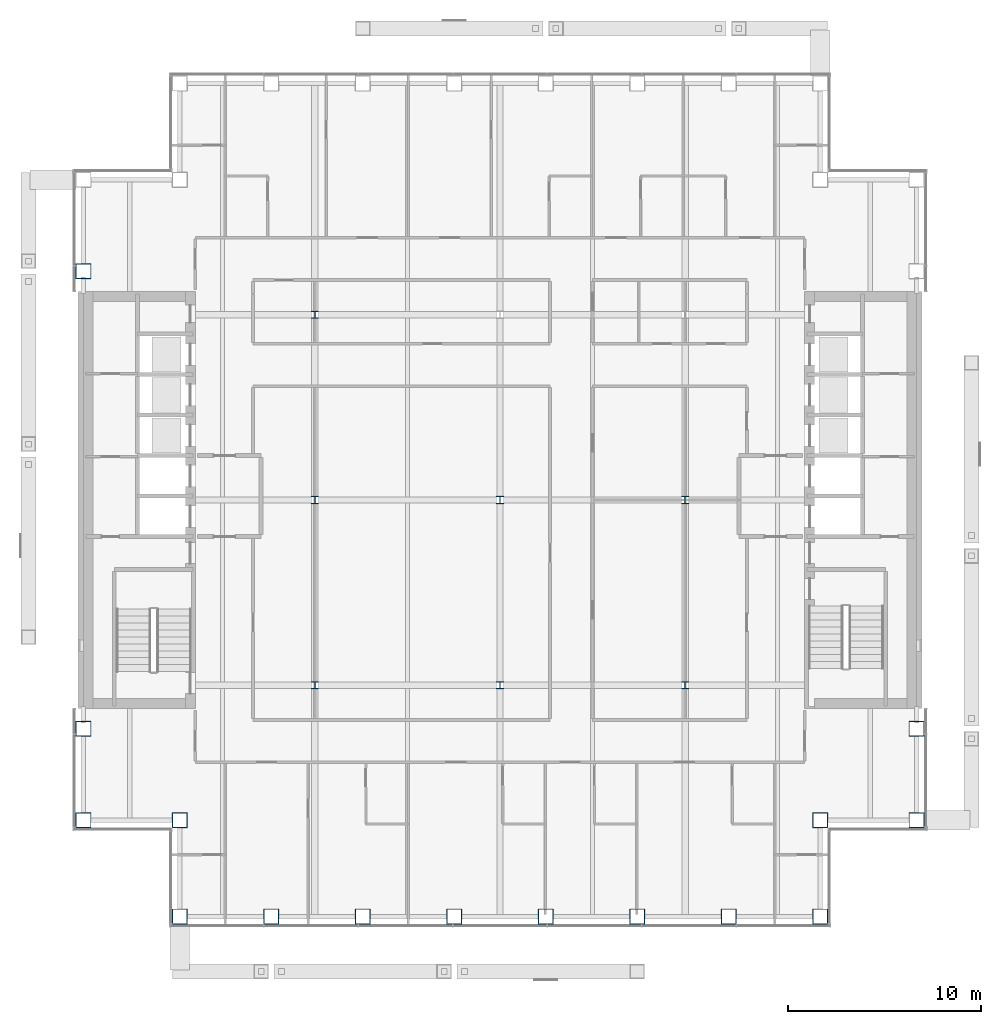
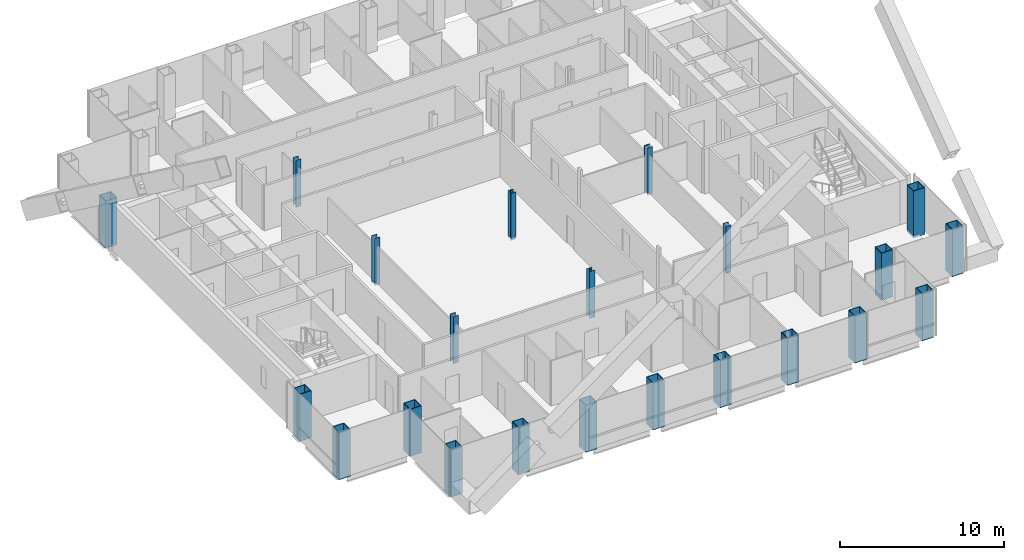
# One storey, part 1 of 18: 22 columns.
"""IFC4 building model written with IfcOpenShell, lengths in metres."""

import ifcopenshell
import ifcopenshell.guid

model = None  # the IFC model being written
_history = None  # IfcOwnerHistory: only IFC2X3 demands one
_inside = {}  # id of a spatial element -> (the spatial element, [elements in it])
_under = {}  # id of a project, library or spatial element -> (it, [spatial elements below it])
_declared = {}  # id of a project -> (the project, [libraries it declares])
_typed = {}  # id of a type object -> (the type object, [elements of that type])
_made_of = {}  # id of a material, layer set ... -> (it, [elements and type objects made of it])


def new_model(schema):
    """Start an empty IFC model of exactly this schema.

    Asked for "IFC4X3", IfcOpenShell would pick the latest addendum, in which some entities
    have other attributes; the version numbers below select the first issue.
    IFC2X3 requires an IfcOwnerHistory on every rooted entity: one is made here for all.
    """
    global model, _history
    if schema == "IFC4X3":
        model = ifcopenshell.file(schema_version=(4, 3, 0, 0))
    else:
        model = ifcopenshell.file(schema=schema)
    _inside.clear()
    _under.clear()
    _declared.clear()
    _typed.clear()
    _made_of.clear()
    _history = None
    if model.schema == "IFC2X3":
        org = make("IfcOrganization", Name="unknown")
        user = make(
            "IfcPersonAndOrganization",
            ThePerson=make("IfcPerson", FamilyName="unknown"),
            TheOrganization=org,
        )
        app = make(
            "IfcApplication",
            ApplicationDeveloper=org,
            Version="unknown",
            ApplicationFullName="unknown",
            ApplicationIdentifier="unknown",
        )
        _history = make(
            "IfcOwnerHistory",
            OwningUser=user,
            OwningApplication=app,
            ChangeAction="ADDED",
            CreationDate=0,
        )
    return model


def make(cls, **values):
    """One entity of the class cls with the attributes given. An attribute that is None is left unset."""
    return model.create_entity(
        cls, **{name: value for name, value in values.items() if value is not None}
    )


def rooted(cls, **values):
    """An entity with a GlobalId (a new one), such as an element, a storey or a relation."""
    return make(cls, GlobalId=ifcopenshell.guid.new(), OwnerHistory=_history, **values)


def si_unit(unit_type, name, prefix=None):
    """IfcSIUnit, for example si_unit("LENGTHUNIT", "METRE", prefix="MILLI")."""
    return make("IfcSIUnit", UnitType=unit_type, Prefix=prefix, Name=name)


def assignment(units):
    """IfcUnitAssignment: the units of a project."""
    return None if units is None else make("IfcUnitAssignment", Units=units)


def point(xyz):
    """IfcCartesianPoint."""
    return None if xyz is None else make("IfcCartesianPoint", Coordinates=xyz)


def direction(xyz):
    """IfcDirection."""
    return None if xyz is None else make("IfcDirection", DirectionRatios=xyz)


def frame(location, z_axis=None, x_axis=None):
    """IfcAxis2Placement3D, a coordinate frame: its origin and axes. An axis left out is left unset."""
    return make(
        "IfcAxis2Placement3D",
        Location=point(location),
        Axis=direction(z_axis),
        RefDirection=direction(x_axis),
    )


def frame_2d(location, x_axis=None):
    """IfcAxis2Placement2D, a coordinate frame in the plane: its origin and x axis."""
    return make(
        "IfcAxis2Placement2D", Location=point(location), RefDirection=direction(x_axis)
    )


def origin():
    """The frame at (0, 0, 0) with its axes left unset."""
    return frame((0.0, 0.0, 0.0))


def origin_2d():
    """The frame at (0, 0) in the plane with its x axis left unset."""
    return frame_2d((0.0, 0.0))


def place(relative_to, where):
    """IfcLocalPlacement: puts the frame where relative to a parent placement (None: the world)."""
    return make(
        "IfcLocalPlacement", PlacementRelTo=relative_to, RelativePlacement=where
    )


def context(
    kind, dimensions, precision=None, world=None, true_north=None, identifier=None
):
    """IfcGeometricRepresentationContext, for example the 3D "Model" context."""
    return make(
        "IfcGeometricRepresentationContext",
        ContextIdentifier=identifier,
        ContextType=kind,
        CoordinateSpaceDimension=dimensions,
        Precision=precision,
        WorldCoordinateSystem=world,
        TrueNorth=true_north,
    )


def subcontext(parent, identifier, kind, view, scale=None):
    """IfcGeometricRepresentationSubContext, for example "Body" below "Model"."""
    return make(
        "IfcGeometricRepresentationSubContext",
        ContextIdentifier=identifier,
        ContextType=kind,
        ParentContext=parent,
        TargetScale=scale,
        TargetView=view,
    )


def project(units=None, contexts=None):
    """IfcProject with its units and contexts."""
    return rooted(
        "IfcProject",
        Name="project",
        RepresentationContexts=contexts,
        UnitsInContext=assignment(units),
    )


def spatial(cls, under=None, at=None, **own):
    """A site, building, storey or space (cls), placed at a placement, below another one or the project."""
    s = rooted(cls, ObjectPlacement=at, **own)
    if under is not None:
        _under.setdefault(under.id(), (under, []))[1].append(s)
    return s


def profile(cls, at=None, kind="AREA", **sizes):
    """A parametric profile (cls). Its sizes go by their IFC names, for example OverallWidth=200.0."""
    return make(cls, ProfileType=kind, Position=at, **sizes)


def hollow_rectangle(**sizes):
    """IfcRectangleHollowProfileDef."""
    return profile("IfcRectangleHollowProfileDef", **sizes)


def i_section(**sizes):
    """IfcIShapeProfileDef."""
    return profile("IfcIShapeProfileDef", **sizes)


def extrude(swept, where, along, depth):
    """IfcExtrudedAreaSolid: the profile swept, set in the frame where, extruded along a direction by depth."""
    return make(
        "IfcExtrudedAreaSolid",
        SweptArea=swept,
        Position=where,
        ExtrudedDirection=direction(along),
        Depth=depth,
    )


def shape(context_of_items, identifier, shape_type, items):
    """IfcShapeRepresentation: the items that make up one representation, for example the "Body"."""
    return make(
        "IfcShapeRepresentation",
        ContextOfItems=context_of_items,
        RepresentationIdentifier=identifier,
        RepresentationType=shape_type,
        Items=items,
    )


def material(Name=None, Category=None):
    """IfcMaterial."""
    return make("IfcMaterial", Name=Name, Category=Category)


def material_profile(
    of_material, cross_section, Name=None, Category=None, Priority=None
):
    """IfcMaterialProfile: a cross section and its material."""
    return make(
        "IfcMaterialProfile",
        Name=Name,
        Material=of_material,
        Profile=cross_section,
        Priority=Priority,
        Category=Category,
    )


def profile_set(profiles, Name=None, composite=None):
    """IfcMaterialProfileSet."""
    return make(
        "IfcMaterialProfileSet",
        Name=Name,
        MaterialProfiles=profiles,
        CompositeProfile=composite,
    )


def made_of(thing, what):
    """Note that an element or type object is made of a material, layer set ...; save() writes the relation."""
    if what is not None:
        _made_of.setdefault(what.id(), (what, []))[1].append(thing)
    return thing


def type_object(cls, material=None, **own):
    """A type object (cls), such as IfcWallType, which elements share."""
    return made_of(rooted(cls, **own), material)


def element(
    cls,
    number,
    at=None,
    inside=None,
    cuts=None,
    type_object=None,
    material=None,
    context=None,
    identifier="Body",
    shape_type=None,
    held_by="IfcProductDefinitionShape",
    body=None,
    shapes=None,
    **own,
):
    """One element of the class cls, such as IfcWall. Its Tag is "e" and its number.

    at: its placement. inside: the storey or other place that contains it. cuts: it is an
    opening in that element (IfcRelVoidsElement). A single representation is given by context,
    identifier, shape_type and body (its items); several are given by shapes. held_by: the class
    of the entity that holds the representations. save() writes the other relations.
    """
    e = rooted(cls, Tag="e%d" % number, ObjectPlacement=at, **own)
    if body is not None:
        shapes = [shape(context, identifier, shape_type, body)]
    if shapes is not None:
        e.Representation = make(held_by, Representations=shapes)
    if inside is not None:
        _inside.setdefault(inside.id(), (inside, []))[1].append(e)
    if cuts is not None:
        rooted(
            "IfcRelVoidsElement", RelatingBuildingElement=cuts, RelatedOpeningElement=e
        )
    if type_object is not None:
        _typed.setdefault(type_object.id(), (type_object, []))[1].append(e)
    return made_of(e, material)


def aggregate(whole, parts):
    """IfcRelAggregates: a whole, such as a stair, and the parts it consists of."""
    return rooted("IfcRelAggregates", RelatingObject=whole, RelatedObjects=parts)


def save(model, path):
    """Write the relations noted so far, then the file.

    IfcRelAggregates (storeys below a building ...), IfcRelContainedInSpatialStructure (elements
    in a storey), IfcRelDefinesByType, IfcRelAssociatesMaterial and IfcRelDeclares: one each for
    every whole, place, type object, material and project.
    """
    for whole, parts in _under.values():
        aggregate(whole, parts)
    for where, things in _inside.values():
        rooted(
            "IfcRelContainedInSpatialStructure",
            RelatedElements=things,
            RelatingStructure=where,
        )
    for kind, things in _typed.values():
        rooted("IfcRelDefinesByType", RelatedObjects=things, RelatingType=kind)
    for what, things in _made_of.values():
        rooted("IfcRelAssociatesMaterial", RelatedObjects=things, RelatingMaterial=what)
    for by, libraries in _declared.values():
        rooted("IfcRelDeclares", RelatingContext=by, RelatedDefinitions=libraries)
    model.write(path)


model = new_model("IFC4")

# Units and contexts
model_context = context("Model", 3, precision=1e-05, world=origin(), true_north=direction((0.0, 1.0)))
body_context = subcontext(model_context, "Body", "Model", "MODEL_VIEW")
ifc_project = project(units=[si_unit("LENGTHUNIT", "METRE"), si_unit("AREAUNIT", "SQUARE_METRE"), si_unit("VOLUMEUNIT", "CUBIC_METRE"), si_unit("PLANEANGLEUNIT", "RADIAN"), si_unit("MASSUNIT", "GRAM", prefix="KILO")], contexts=[model_context])

# Site, building, storey
site_placement = place(None, origin())
site = spatial("IfcSite", under=ifc_project, at=site_placement, CompositionType="ELEMENT")
building_placement = place(site_placement, origin())
building = spatial("IfcBuilding", under=site, at=building_placement, Name="Cobrizo Arcos Hotel Tower", CompositionType="ELEMENT")
storey_placement = place(building_placement, frame((0.0, 0.0, 158.5)))
storey = spatial("IfcBuildingStorey", under=building, at=storey_placement, Name="L40", CompositionType="ELEMENT", Elevation=158.5)

# Columns
ifc_material_1 = material(Name="Steel ASTM A572 Grade 50", Category="steel")
ifc_material_profile_1 = material_profile(ifc_material_1, hollow_rectangle(XDim=0.800048828125, YDim=0.800048828125, WallThickness=0.044921875, at=origin_2d()), Name="BOX 800X800X45")
ifc_profile_set_1 = profile_set([ifc_material_profile_1], Name="Steel ASTM A572 Grade 50")
column_type_1 = type_object("IfcColumnType", Name="BOX 800X800X45 column", PredefinedType="COLUMN", material=ifc_profile_set_1)
for number, where, z_axis, x_axis, name in (
    (1, (-16.60009765625, -21.60009765625, -0.14990234375), (0.0, 0.0, 1.0), (1.0, 0.0, 0.0), "Perimeter column C8, L40, no. 01"),
    (2, (-11.85693359375, -21.60009765625, -0.14990234375), (0.0, 0.0, 1.0), (1.0, 0.0, 0.0), "Perimeter column C8, L40, no. 03"),
    (3, (-7.114013671875, -21.60009765625, -0.14990234375), (0.0, 0.0, 1.0), (1.0, 0.0, 0.0), "Perimeter column C8, L40, no. 05"),
    (4, (-2.37109375, -21.60009765625, -0.14990234375), (0.0, 0.0, 1.0), (1.0, 0.0, 0.0), "Perimeter column C8, L40, no. 07"),
    (5, (2.37109375, -21.60009765625, -0.14990234375), (0.0, 0.0, 1.0), (1.0, 0.0, 0.0), "Perimeter column C8, L40, no. 09"),
    (6, (7.114013671875, -21.60009765625, -0.14990234375), (0.0, 0.0, 1.0), (1.0, 0.0, 0.0), "Perimeter column C8, L40, no. 11"),
    (7, (11.85693359375, -21.60009765625, -0.14990234375), (0.0, 0.0, 1.0), (1.0, 0.0, 0.0), "Perimeter column C8, L40, no. 13"),
    (8, (16.60009765625, -21.60009765625, -0.14990234375), (0.0, 0.0, 1.0), (1.0, 0.0, 0.0), "Perimeter column C8, L40, no. 15"),
    (9, (21.60009765625, -16.60009765625, -0.14990234375), (0.0, 0.0, 1.0), (1.0, 0.0, 0.0), "Perimeter column C8, L40, no. 16"),
    (10, (-21.60009765625, -16.60009765625, -0.14990234375), (0.0, 0.0, 1.0), (1.0, 0.0, 0.0), "Perimeter column C8, L40, no. 17"),
    (11, (21.60009765625, -11.85693359375, -0.14990234375), (0.0, 0.0, 1.0), (1.0, 0.0, 0.0), "Perimeter column C8, L40, no. 18"),
    (12, (-21.60009765625, -11.85693359375, -0.14990234375), (0.0, 0.0, 1.0), (1.0, 0.0, 0.0), "Perimeter column C8, L40, no. 19"),
    (13, (-21.60009765625, 11.85693359375, -0.14990234375), (0.0, 0.0, 1.0), (1.0, 0.0, 0.0), "Perimeter column C8, L40, no. 21"),
    (14, (-16.60009765625, -16.60009765625, -0.14990234375), (0.0, 0.0, 1.0), (1.0, 0.0, 0.0), "Perimeter column C8, L40, no. 24"),
    (15, (16.60009765625, -16.60009765625, -0.14990234375), (0.0, 0.0, 1.0), (1.0, 0.0, 0.0), "Perimeter column C8, L40, no. 26"),
):
    element("IfcColumn", number, at=place(storey_placement, frame(where, z_axis=z_axis, x_axis=x_axis)), inside=storey, type_object=column_type_1, Name=name, PredefinedType="COLUMN", context=body_context, shape_type="SweptSolid", body=[
        extrude(hollow_rectangle(XDim=0.800048828125, YDim=0.800048828125, WallThickness=0.044921875, at=origin_2d()), origin(), (0.0, 0.0, 1.0), 3.5),
    ])
ifc_material_2 = material(Name="Steel ASTM A992 Grade 50", Category="steel")
ifc_material_profile_2 = material_profile(ifc_material_2, i_section(OverallWidth=0.373291015625, OverallDepth=0.373291015625, WebThickness=0.016357421875, FlangeThickness=0.026123046875, at=origin_2d()), Name="W14X132")
ifc_profile_set_2 = profile_set([ifc_material_profile_2], Name="Steel ASTM A992 Grade 50")
column_type_2 = type_object("IfcColumnType", Name="W14X132 interior column", PredefinedType="COLUMN", material=ifc_profile_set_2)
for number, where, z_axis, x_axis, name in (
    (16, (-9.60009765625, -9.60009765625, -0.14990234375), (0.0, 0.0, 1.0), (1.0, 0.0, 0.0), "Interior column C9, L40, no. 00"),
    (17, (-9.60009765625, 0.0, -0.14990234375), (0.0, 0.0, 1.0), (1.0, 0.0, 0.0), "Interior column C9, L40, no. 01"),
    (18, (-9.60009765625, 9.60009765625, -0.14990234375), (0.0, 0.0, 1.0), (1.0, 0.0, 0.0), "Interior column C9, L40, no. 02"),
    (19, (0.0, -9.60009765625, -0.14990234375), (0.0, 0.0, 1.0), (1.0, 0.0, 0.0), "Interior column C9, L40, no. 03"),
    (20, (0.0, 0.0, -0.14990234375), (0.0, 0.0, 1.0), (1.0, 0.0, 0.0), "Interior column C9, L40, no. 04"),
    (21, (9.60009765625, -9.60009765625, -0.14990234375), (0.0, 0.0, 1.0), (1.0, 0.0, 0.0), "Interior column C9, L40, no. 06"),
    (22, (9.60009765625, 0.0, -0.14990234375), (0.0, 0.0, 1.0), (1.0, 0.0, 0.0), "Interior column C9, L40, no. 07"),
):
    element("IfcColumn", number, at=place(storey_placement, frame(where, z_axis=z_axis, x_axis=x_axis)), inside=storey, type_object=column_type_2, Name=name, PredefinedType="COLUMN", context=body_context, shape_type="SweptSolid", body=[
        extrude(i_section(OverallWidth=0.373291015625, OverallDepth=0.373291015625, WebThickness=0.016357421875, FlangeThickness=0.026123046875, at=origin_2d()), origin(), (0.0, 0.0, 1.0), 3.5),
    ])

save(model, "model.ifc")
